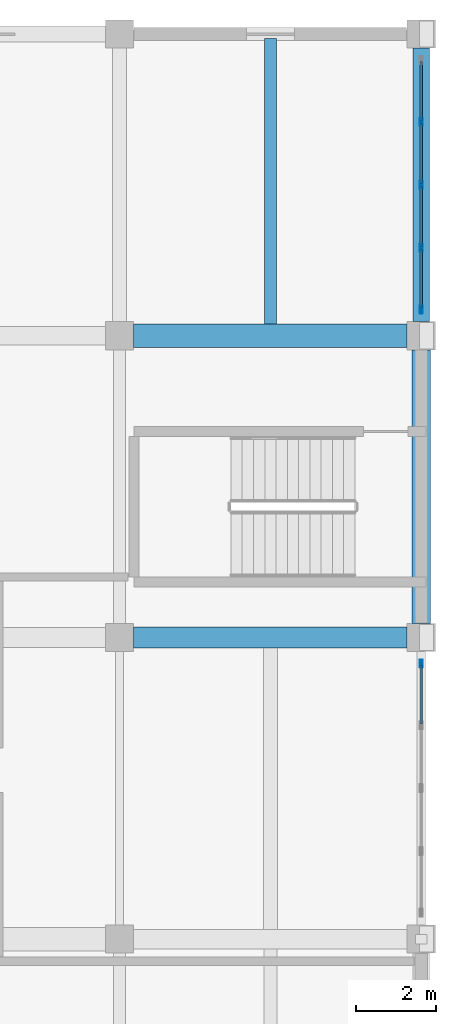
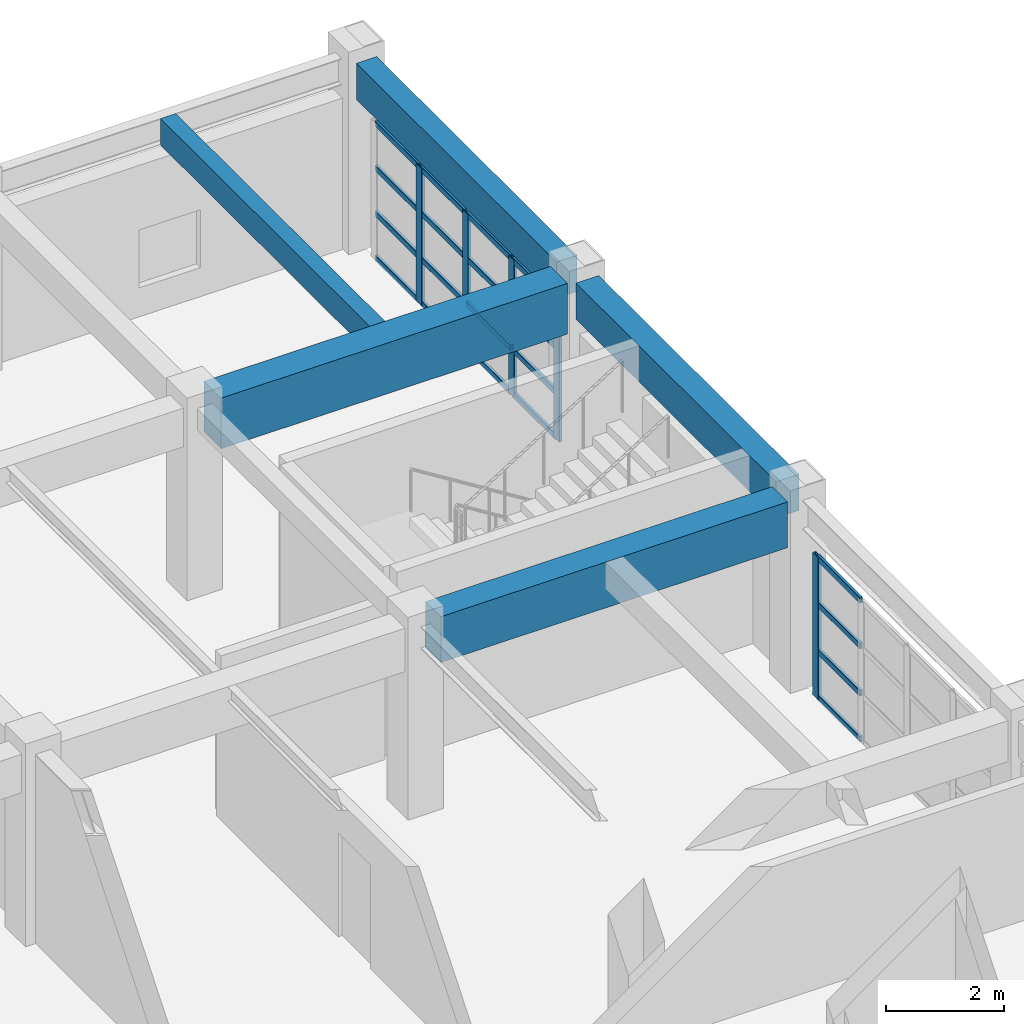
# One storey, part 79 of 132: 25 members, 5 beams, 2 elements without a shape of their own.
"""IFC4 building model written with IfcOpenShell, lengths in metres."""

from ifc_helpers import new_model, si_unit, direction, frame, origin, origin_2d, place, context, subcontext, project, spatial, rectangle, hollow_rectangle, extrude, material, material_profile, profile_set, type_object, element, aggregate, save


model = new_model("IFC4")

# Units and contexts
model_context = context("Model", 3, precision=1e-05, world=origin(), true_north=direction((0.0, 1.0)))
body_context = subcontext(model_context, "Body", "Model", "MODEL_VIEW")
ifc_project = project(units=[si_unit("LENGTHUNIT", "METRE"), si_unit("AREAUNIT", "SQUARE_METRE"), si_unit("VOLUMEUNIT", "CUBIC_METRE"), si_unit("PLANEANGLEUNIT", "RADIAN"), si_unit("MASSUNIT", "GRAM", prefix="KILO")], contexts=[model_context])

# Site, building, storey
site_placement = place(None, origin())
site = spatial("IfcSite", under=ifc_project, at=site_placement, CompositionType="ELEMENT")
building_placement = place(site_placement, origin())
building = spatial("IfcBuilding", under=site, at=building_placement, Name="Qasida Concert Hall", CompositionType="ELEMENT")
storey_placement = place(building_placement, frame((0.0, 0.0, 4.800048828125)))
storey = spatial("IfcBuildingStorey", under=building, at=storey_placement, Name="L01", CompositionType="ELEMENT", Elevation=4.800048828125)

# Beams
ifc_material_1 = material(Name="Concrete C40/50", Category="concrete")
ifc_material_profile_1 = material_profile(ifc_material_1, rectangle(XDim=0.52001953125, YDim=0.949951171875, at=origin_2d()), Name="RC 520x950")
ifc_profile_set_1 = profile_set([ifc_material_profile_1], Name="Concrete C40/50")
beam_type_1 = type_object("IfcBeamType", Name="BM-G7", PredefinedType="USERDEFINED", material=ifc_profile_set_1)
beam_1_placement = place(storey_placement, frame((157.85009765625, 97.5, 3.445068359375), z_axis=(1.0, 0.0, 0.0), x_axis=(0.0, 1.0, 0.0)))
element("IfcBeam", 1, at=beam_1_placement, inside=storey, type_object=beam_type_1, Name="Primary girder 0997", ObjectType="GIRDER", PredefinedType="USERDEFINED", context=body_context, shape_type="SweptSolid", body=[
    extrude(rectangle(XDim=0.52001953125, YDim=0.949951171875, at=origin_2d()), origin(), (0.0, 0.0, 1.0), 6.7998046875),
])
ifc_material_2 = material(Name="Concrete C50/60", Category="concrete")
ifc_material_profile_2 = material_profile(ifc_material_2, rectangle(XDim=0.580078125, YDim=1.050048828125, at=origin_2d()), Name="RC 580x1050")
ifc_profile_set_2 = profile_set([ifc_material_profile_2], Name="Concrete C50/60")
beam_type_2 = type_object("IfcBeamType", Name="BM-G8", PredefinedType="USERDEFINED", material=ifc_profile_set_2)
beam_2_placement = place(storey_placement, frame((157.85009765625, 105.0, 3.39501953125), z_axis=(1.0, 0.0, 0.0), x_axis=(0.0, 1.0, 0.0)))
element("IfcBeam", 2, at=beam_2_placement, inside=storey, type_object=beam_type_2, Name="Primary girder 1003", ObjectType="GIRDER", PredefinedType="USERDEFINED", context=body_context, shape_type="SweptSolid", body=[
    extrude(rectangle(XDim=0.580078125, YDim=1.050048828125, at=origin_2d()), origin(), (0.0, 0.0, 1.0), 6.7998046875),
])
ifc_material_profile_3 = material_profile(ifc_material_1, rectangle(XDim=0.300048828125, YDim=0.550048828125, at=origin_2d()), Name="RC 300x550")
ifc_profile_set_3 = profile_set([ifc_material_profile_3], Name="Concrete C40/50")
beam_type_3 = type_object("IfcBeamType", Name="BM-J1", PredefinedType="JOIST", material=ifc_profile_set_3)
beam_3_placement = place(storey_placement, frame((161.25, 105.2900390625, 3.64501953125), z_axis=(0.0, 1.0, 0.0), x_axis=(-1.0, 0.0, 0.0)))
element("IfcBeam", 3, at=beam_3_placement, inside=storey, type_object=beam_type_3, Name="L01 secondary joist 1064", PredefinedType="JOIST", context=body_context, shape_type="SweptSolid", body=[
    extrude(rectangle(XDim=0.300048828125, YDim=0.550048828125, at=origin_2d()), origin(), (0.0, 0.0, 1.0), 7.10498046875),
])
ifc_material_profile_4 = material_profile(ifc_material_1, rectangle(XDim=0.39990234375, YDim=0.75, at=origin_2d()), Name="RC 400x750")
ifc_profile_set_4 = profile_set([ifc_material_profile_4], Name="Concrete C40/50")
beam_type_4 = type_object("IfcBeamType", Name="BM-SP1", PredefinedType="SPANDREL", material=ifc_profile_set_4)
beam_4_placement = place(storey_placement, frame((165.0, 105.35009765625, 3.544921875), z_axis=(0.0, 1.0, 0.0), x_axis=(-1.0, 0.0, 0.0)))
element("IfcBeam", 4, at=beam_4_placement, inside=storey, type_object=beam_type_4, Name="L01 girder 1042", PredefinedType="SPANDREL", context=body_context, shape_type="SweptSolid", body=[
    extrude(rectangle(XDim=0.39990234375, YDim=0.75, at=origin_2d()), origin(), (0.0, 0.0, 1.0), 6.7998046875),
])
ifc_material_profile_5 = material_profile(ifc_material_1, rectangle(XDim=0.449951171875, YDim=0.75, at=origin_2d()), Name="RC 450x750")
ifc_profile_set_5 = profile_set([ifc_material_profile_5], Name="Concrete C40/50")
beam_type_5 = type_object("IfcBeamType", Name="BM-SP4", PredefinedType="SPANDREL", material=ifc_profile_set_5)
beam_5_placement = place(storey_placement, frame((165.0, 97.85009765625, 3.544921875), z_axis=(0.0, 1.0, 0.0), x_axis=(-1.0, 0.0, 0.0)))
element("IfcBeam", 5, at=beam_5_placement, inside=storey, type_object=beam_type_5, Name="L01 girder 1041", PredefinedType="SPANDREL", context=body_context, shape_type="SweptSolid", body=[
    extrude(rectangle(XDim=0.449951171875, YDim=0.75, at=origin_2d()), origin(), (0.0, 0.0, 1.0), 6.7998046875),
])

# Curtain wall, member
ifc_material_3 = material(Name="Architectural bronze-anodized aluminium and low-E glass", Category="aluminium")
curtain_wall_type = type_object("IfcCurtainWallType", Name="CW-11", PredefinedType="NOTDEFINED", material=ifc_material_3)
curtain_wall_1_placement = place(storey_placement, origin())
curtain_wall_1 = element("IfcCurtainWall", 6, at=curtain_wall_1_placement, inside=storey, type_object=curtain_wall_type, Name="L01 curtain wall CW-11 0166", PredefinedType="NOTDEFINED")
ifc_material_4 = material(Name="Architectural bronze-anodized aluminium EN AW-6063", Category="aluminium")
ifc_material_profile_6 = material_profile(ifc_material_4, hollow_rectangle(XDim=0.06494140625, YDim=0.199951171875, WallThickness=0.0048828125, InnerFilletRadius=0.0048828125, OuterFilletRadius=0.010009765625, at=origin_2d()), Name="CWM 200x65x5")
ifc_profile_set_6 = profile_set([ifc_material_profile_6], Name="Architectural bronze-anodized aluminium EN AW-6063")
member_type_1 = type_object("IfcMemberType", Name="MB-CWM-2", PredefinedType="MULLION", material=ifc_profile_set_6)
member_1_placement = place(storey_placement, frame((165.0, 96.847412109375, 0.0), z_axis=(0.0, 0.0, 1.0), x_axis=(-1.0, 0.0, 0.0)))
member_1 = element("IfcMember", 7, at=member_1_placement, type_object=member_type_1, Name="CW-11 mullion 5", PredefinedType="MULLION", context=body_context, shape_type="SweptSolid", body=[
    extrude(hollow_rectangle(XDim=0.06494140625, YDim=0.199951171875, WallThickness=0.0048828125, InnerFilletRadius=0.0048828125, OuterFilletRadius=0.010009765625, at=origin_2d()), origin(), (0.0, 0.0, 1.0), 2.93994140625),
])

# Curtain wall, members
curtain_wall_2_placement = place(storey_placement, origin())
curtain_wall_2 = element("IfcCurtainWall", 8, at=curtain_wall_2_placement, inside=storey, type_object=curtain_wall_type, Name="L01 curtain wall CW-11 0168", PredefinedType="NOTDEFINED")
member_2_placement = place(storey_placement, frame((165.0, 105.652587890625, 0.0), z_axis=(0.0, 0.0, 1.0), x_axis=(-1.0, 0.0, 0.0)))
member_2 = element("IfcMember", 9, at=member_2_placement, type_object=member_type_1, Name="CW-11 mullion 1", PredefinedType="MULLION", context=body_context, shape_type="SweptSolid", body=[
    extrude(hollow_rectangle(XDim=0.06494140625, YDim=0.199951171875, WallThickness=0.0048828125, InnerFilletRadius=0.0048828125, OuterFilletRadius=0.010009765625, at=origin_2d()), origin(), (0.0, 0.0, 1.0), 2.83984375),
])
member_3_placement = place(storey_placement, frame((165.0, 107.18505859375, 0.0), z_axis=(0.0, 0.0, 1.0), x_axis=(-1.0, 0.0, 0.0)))
member_3 = element("IfcMember", 10, at=member_3_placement, type_object=member_type_1, Name="CW-11 mullion 2", PredefinedType="MULLION", context=body_context, shape_type="SweptSolid", body=[
    extrude(hollow_rectangle(XDim=0.06494140625, YDim=0.199951171875, WallThickness=0.0048828125, InnerFilletRadius=0.0048828125, OuterFilletRadius=0.010009765625, at=origin_2d()), origin(), (0.0, 0.0, 1.0), 2.83984375),
])
member_4_placement = place(storey_placement, frame((165.0, 108.75, 0.0), z_axis=(0.0, 0.0, 1.0), x_axis=(-1.0, 0.0, 0.0)))
member_4 = element("IfcMember", 11, at=member_4_placement, type_object=member_type_1, Name="CW-11 mullion 3", PredefinedType="MULLION", context=body_context, shape_type="SweptSolid", body=[
    extrude(hollow_rectangle(XDim=0.06494140625, YDim=0.199951171875, WallThickness=0.0048828125, InnerFilletRadius=0.0048828125, OuterFilletRadius=0.010009765625, at=origin_2d()), origin(), (0.0, 0.0, 1.0), 2.83984375),
])
member_5_placement = place(storey_placement, frame((165.0, 110.31494140625, 0.0), z_axis=(0.0, 0.0, 1.0), x_axis=(-1.0, 0.0, 0.0)))
member_5 = element("IfcMember", 12, at=member_5_placement, type_object=member_type_1, Name="CW-11 mullion 4", PredefinedType="MULLION", context=body_context, shape_type="SweptSolid", body=[
    extrude(hollow_rectangle(XDim=0.06494140625, YDim=0.199951171875, WallThickness=0.0048828125, InnerFilletRadius=0.0048828125, OuterFilletRadius=0.010009765625, at=origin_2d()), origin(), (0.0, 0.0, 1.0), 2.83984375),
])

# Member
ifc_material_profile_7 = material_profile(ifc_material_4, hollow_rectangle(XDim=0.06005859375, YDim=0.1201171875, WallThickness=0.00390625, InnerFilletRadius=0.00390625, OuterFilletRadius=0.008056640625, at=origin_2d()), Name="CWT 120x60x4")
ifc_profile_set_7 = profile_set([ifc_material_profile_7], Name="Architectural bronze-anodized aluminium EN AW-6063")
member_type_2 = type_object("IfcMemberType", Name="MB-CWT-2", PredefinedType="USERDEFINED", material=ifc_profile_set_7)
member_6_placement = place(storey_placement, frame((165.0, 95.347412109375, 0.030029296875), z_axis=(0.0, 1.0, 0.0), x_axis=(-1.0, 0.0, 0.0)))
member_6 = element("IfcMember", 13, at=member_6_placement, type_object=member_type_2, Name="CW-11 transom 4.1", ObjectType="TRANSOM", PredefinedType="USERDEFINED", context=body_context, shape_type="SweptSolid", body=[
    extrude(hollow_rectangle(XDim=0.06005859375, YDim=0.1201171875, WallThickness=0.00390625, InnerFilletRadius=0.00390625, OuterFilletRadius=0.008056640625, at=origin_2d()), origin(), (0.0, 0.0, 1.0), 1.467529296875),
])

member_7_placement = place(storey_placement, frame((165.0, 95.347412109375, 0.97998046875), z_axis=(0.0, 1.0, 0.0), x_axis=(-1.0, 0.0, 0.0)))
member_7 = element("IfcMember", 14, at=member_7_placement, type_object=member_type_2, Name="CW-11 transom 4.2", ObjectType="TRANSOM", PredefinedType="USERDEFINED", context=body_context, shape_type="SweptSolid", body=[
    extrude(hollow_rectangle(XDim=0.06005859375, YDim=0.1201171875, WallThickness=0.00390625, InnerFilletRadius=0.00390625, OuterFilletRadius=0.008056640625, at=origin_2d()), origin(), (0.0, 0.0, 1.0), 1.467529296875),
])

member_8_placement = place(storey_placement, frame((165.0, 95.347412109375, 1.9599609375), z_axis=(0.0, 1.0, 0.0), x_axis=(-1.0, 0.0, 0.0)))
member_8 = element("IfcMember", 15, at=member_8_placement, type_object=member_type_2, Name="CW-11 transom 4.3", ObjectType="TRANSOM", PredefinedType="USERDEFINED", context=body_context, shape_type="SweptSolid", body=[
    extrude(hollow_rectangle(XDim=0.06005859375, YDim=0.1201171875, WallThickness=0.00390625, InnerFilletRadius=0.00390625, OuterFilletRadius=0.008056640625, at=origin_2d()), origin(), (0.0, 0.0, 1.0), 1.467529296875),
])

member_9_placement = place(storey_placement, frame((165.0, 95.347412109375, 2.909912109375), z_axis=(0.0, 1.0, 0.0), x_axis=(-1.0, 0.0, 0.0)))
member_9 = element("IfcMember", 16, at=member_9_placement, type_object=member_type_2, Name="CW-11 transom 4.4", ObjectType="TRANSOM", PredefinedType="USERDEFINED", context=body_context, shape_type="SweptSolid", body=[
    extrude(hollow_rectangle(XDim=0.06005859375, YDim=0.1201171875, WallThickness=0.00390625, InnerFilletRadius=0.00390625, OuterFilletRadius=0.008056640625, at=origin_2d()), origin(), (0.0, 0.0, 1.0), 1.467529296875),
])

aggregate(curtain_wall_1, [member_1, member_6, member_7, member_8, member_9])

member_10_placement = place(storey_placement, frame((165.0, 105.68505859375, 0.030029296875), z_axis=(0.0, 1.0, 0.0), x_axis=(-1.0, 0.0, 0.0)))
member_10 = element("IfcMember", 17, at=member_10_placement, type_object=member_type_2, Name="CW-11 transom 1.1", ObjectType="TRANSOM", PredefinedType="USERDEFINED", context=body_context, shape_type="SweptSolid", body=[
    extrude(hollow_rectangle(XDim=0.06005859375, YDim=0.1201171875, WallThickness=0.00390625, InnerFilletRadius=0.00390625, OuterFilletRadius=0.008056640625, at=origin_2d()), origin(), (0.0, 0.0, 1.0), 1.467529296875),
])

member_11_placement = place(storey_placement, frame((165.0, 105.68505859375, 0.946533203125), z_axis=(0.0, 1.0, 0.0), x_axis=(-1.0, 0.0, 0.0)))
member_11 = element("IfcMember", 18, at=member_11_placement, type_object=member_type_2, Name="CW-11 transom 1.2", ObjectType="TRANSOM", PredefinedType="USERDEFINED", context=body_context, shape_type="SweptSolid", body=[
    extrude(hollow_rectangle(XDim=0.06005859375, YDim=0.1201171875, WallThickness=0.00390625, InnerFilletRadius=0.00390625, OuterFilletRadius=0.008056640625, at=origin_2d()), origin(), (0.0, 0.0, 1.0), 1.467529296875),
])

member_12_placement = place(storey_placement, frame((165.0, 105.68505859375, 1.893310546875), z_axis=(0.0, 1.0, 0.0), x_axis=(-1.0, 0.0, 0.0)))
member_12 = element("IfcMember", 19, at=member_12_placement, type_object=member_type_2, Name="CW-11 transom 1.3", ObjectType="TRANSOM", PredefinedType="USERDEFINED", context=body_context, shape_type="SweptSolid", body=[
    extrude(hollow_rectangle(XDim=0.06005859375, YDim=0.1201171875, WallThickness=0.00390625, InnerFilletRadius=0.00390625, OuterFilletRadius=0.008056640625, at=origin_2d()), origin(), (0.0, 0.0, 1.0), 1.467529296875),
])

member_13_placement = place(storey_placement, frame((165.0, 105.68505859375, 2.81005859375), z_axis=(0.0, 1.0, 0.0), x_axis=(-1.0, 0.0, 0.0)))
member_13 = element("IfcMember", 20, at=member_13_placement, type_object=member_type_2, Name="CW-11 transom 1.4", ObjectType="TRANSOM", PredefinedType="USERDEFINED", context=body_context, shape_type="SweptSolid", body=[
    extrude(hollow_rectangle(XDim=0.06005859375, YDim=0.1201171875, WallThickness=0.00390625, InnerFilletRadius=0.00390625, OuterFilletRadius=0.008056640625, at=origin_2d()), origin(), (0.0, 0.0, 1.0), 1.467529296875),
])

member_14_placement = place(storey_placement, frame((165.0, 107.217529296875, 0.030029296875), z_axis=(0.0, 1.0, 0.0), x_axis=(-1.0, 0.0, 0.0)))
member_14 = element("IfcMember", 21, at=member_14_placement, type_object=member_type_2, Name="CW-11 transom 2.1", ObjectType="TRANSOM", PredefinedType="USERDEFINED", context=body_context, shape_type="SweptSolid", body=[
    extrude(hollow_rectangle(XDim=0.06005859375, YDim=0.1201171875, WallThickness=0.00390625, InnerFilletRadius=0.00390625, OuterFilletRadius=0.008056640625, at=origin_2d()), origin(), (0.0, 0.0, 1.0), 1.5),
])

member_15_placement = place(storey_placement, frame((165.0, 107.217529296875, 0.946533203125), z_axis=(0.0, 1.0, 0.0), x_axis=(-1.0, 0.0, 0.0)))
member_15 = element("IfcMember", 22, at=member_15_placement, type_object=member_type_2, Name="CW-11 transom 2.2", ObjectType="TRANSOM", PredefinedType="USERDEFINED", context=body_context, shape_type="SweptSolid", body=[
    extrude(hollow_rectangle(XDim=0.06005859375, YDim=0.1201171875, WallThickness=0.00390625, InnerFilletRadius=0.00390625, OuterFilletRadius=0.008056640625, at=origin_2d()), origin(), (0.0, 0.0, 1.0), 1.5),
])

member_16_placement = place(storey_placement, frame((165.0, 107.217529296875, 1.893310546875), z_axis=(0.0, 1.0, 0.0), x_axis=(-1.0, 0.0, 0.0)))
member_16 = element("IfcMember", 23, at=member_16_placement, type_object=member_type_2, Name="CW-11 transom 2.3", ObjectType="TRANSOM", PredefinedType="USERDEFINED", context=body_context, shape_type="SweptSolid", body=[
    extrude(hollow_rectangle(XDim=0.06005859375, YDim=0.1201171875, WallThickness=0.00390625, InnerFilletRadius=0.00390625, OuterFilletRadius=0.008056640625, at=origin_2d()), origin(), (0.0, 0.0, 1.0), 1.5),
])

member_17_placement = place(storey_placement, frame((165.0, 107.217529296875, 2.81005859375), z_axis=(0.0, 1.0, 0.0), x_axis=(-1.0, 0.0, 0.0)))
member_17 = element("IfcMember", 24, at=member_17_placement, type_object=member_type_2, Name="CW-11 transom 2.4", ObjectType="TRANSOM", PredefinedType="USERDEFINED", context=body_context, shape_type="SweptSolid", body=[
    extrude(hollow_rectangle(XDim=0.06005859375, YDim=0.1201171875, WallThickness=0.00390625, InnerFilletRadius=0.00390625, OuterFilletRadius=0.008056640625, at=origin_2d()), origin(), (0.0, 0.0, 1.0), 1.5),
])

member_18_placement = place(storey_placement, frame((165.0, 108.782470703125, 0.030029296875), z_axis=(0.0, 1.0, 0.0), x_axis=(-1.0, 0.0, 0.0)))
member_18 = element("IfcMember", 25, at=member_18_placement, type_object=member_type_2, Name="CW-11 transom 3.1", ObjectType="TRANSOM", PredefinedType="USERDEFINED", context=body_context, shape_type="SweptSolid", body=[
    extrude(hollow_rectangle(XDim=0.06005859375, YDim=0.1201171875, WallThickness=0.00390625, InnerFilletRadius=0.00390625, OuterFilletRadius=0.008056640625, at=origin_2d()), origin(), (0.0, 0.0, 1.0), 1.5),
])

member_19_placement = place(storey_placement, frame((165.0, 108.782470703125, 0.946533203125), z_axis=(0.0, 1.0, 0.0), x_axis=(-1.0, 0.0, 0.0)))
member_19 = element("IfcMember", 26, at=member_19_placement, type_object=member_type_2, Name="CW-11 transom 3.2", ObjectType="TRANSOM", PredefinedType="USERDEFINED", context=body_context, shape_type="SweptSolid", body=[
    extrude(hollow_rectangle(XDim=0.06005859375, YDim=0.1201171875, WallThickness=0.00390625, InnerFilletRadius=0.00390625, OuterFilletRadius=0.008056640625, at=origin_2d()), origin(), (0.0, 0.0, 1.0), 1.5),
])

member_20_placement = place(storey_placement, frame((165.0, 108.782470703125, 1.893310546875), z_axis=(0.0, 1.0, 0.0), x_axis=(-1.0, 0.0, 0.0)))
member_20 = element("IfcMember", 27, at=member_20_placement, type_object=member_type_2, Name="CW-11 transom 3.3", ObjectType="TRANSOM", PredefinedType="USERDEFINED", context=body_context, shape_type="SweptSolid", body=[
    extrude(hollow_rectangle(XDim=0.06005859375, YDim=0.1201171875, WallThickness=0.00390625, InnerFilletRadius=0.00390625, OuterFilletRadius=0.008056640625, at=origin_2d()), origin(), (0.0, 0.0, 1.0), 1.5),
])

member_21_placement = place(storey_placement, frame((165.0, 108.782470703125, 2.81005859375), z_axis=(0.0, 1.0, 0.0), x_axis=(-1.0, 0.0, 0.0)))
member_21 = element("IfcMember", 28, at=member_21_placement, type_object=member_type_2, Name="CW-11 transom 3.4", ObjectType="TRANSOM", PredefinedType="USERDEFINED", context=body_context, shape_type="SweptSolid", body=[
    extrude(hollow_rectangle(XDim=0.06005859375, YDim=0.1201171875, WallThickness=0.00390625, InnerFilletRadius=0.00390625, OuterFilletRadius=0.008056640625, at=origin_2d()), origin(), (0.0, 0.0, 1.0), 1.5),
])

member_22_placement = place(storey_placement, frame((165.0, 110.347412109375, 0.030029296875), z_axis=(0.0, 1.0, 0.0), x_axis=(-1.0, 0.0, 0.0)))
member_22 = element("IfcMember", 29, at=member_22_placement, type_object=member_type_2, Name="CW-11 transom 4.1", ObjectType="TRANSOM", PredefinedType="USERDEFINED", context=body_context, shape_type="SweptSolid", body=[
    extrude(hollow_rectangle(XDim=0.06005859375, YDim=0.1201171875, WallThickness=0.00390625, InnerFilletRadius=0.00390625, OuterFilletRadius=0.008056640625, at=origin_2d()), origin(), (0.0, 0.0, 1.0), 1.467529296875),
])

member_23_placement = place(storey_placement, frame((165.0, 110.347412109375, 0.946533203125), z_axis=(0.0, 1.0, 0.0), x_axis=(-1.0, 0.0, 0.0)))
member_23 = element("IfcMember", 30, at=member_23_placement, type_object=member_type_2, Name="CW-11 transom 4.2", ObjectType="TRANSOM", PredefinedType="USERDEFINED", context=body_context, shape_type="SweptSolid", body=[
    extrude(hollow_rectangle(XDim=0.06005859375, YDim=0.1201171875, WallThickness=0.00390625, InnerFilletRadius=0.00390625, OuterFilletRadius=0.008056640625, at=origin_2d()), origin(), (0.0, 0.0, 1.0), 1.467529296875),
])

member_24_placement = place(storey_placement, frame((165.0, 110.347412109375, 1.893310546875), z_axis=(0.0, 1.0, 0.0), x_axis=(-1.0, 0.0, 0.0)))
member_24 = element("IfcMember", 31, at=member_24_placement, type_object=member_type_2, Name="CW-11 transom 4.3", ObjectType="TRANSOM", PredefinedType="USERDEFINED", context=body_context, shape_type="SweptSolid", body=[
    extrude(hollow_rectangle(XDim=0.06005859375, YDim=0.1201171875, WallThickness=0.00390625, InnerFilletRadius=0.00390625, OuterFilletRadius=0.008056640625, at=origin_2d()), origin(), (0.0, 0.0, 1.0), 1.467529296875),
])

member_25_placement = place(storey_placement, frame((165.0, 110.347412109375, 2.81005859375), z_axis=(0.0, 1.0, 0.0), x_axis=(-1.0, 0.0, 0.0)))
member_25 = element("IfcMember", 32, at=member_25_placement, type_object=member_type_2, Name="CW-11 transom 4.4", ObjectType="TRANSOM", PredefinedType="USERDEFINED", context=body_context, shape_type="SweptSolid", body=[
    extrude(hollow_rectangle(XDim=0.06005859375, YDim=0.1201171875, WallThickness=0.00390625, InnerFilletRadius=0.00390625, OuterFilletRadius=0.008056640625, at=origin_2d()), origin(), (0.0, 0.0, 1.0), 1.467529296875),
])

aggregate(curtain_wall_2, [member_2, member_3, member_4, member_5, member_10, member_11, member_12, member_13, member_14, member_15, member_16, member_17, member_18, member_19, member_20, member_21, member_22, member_23, member_24, member_25])

save(model, "model.ifc")
